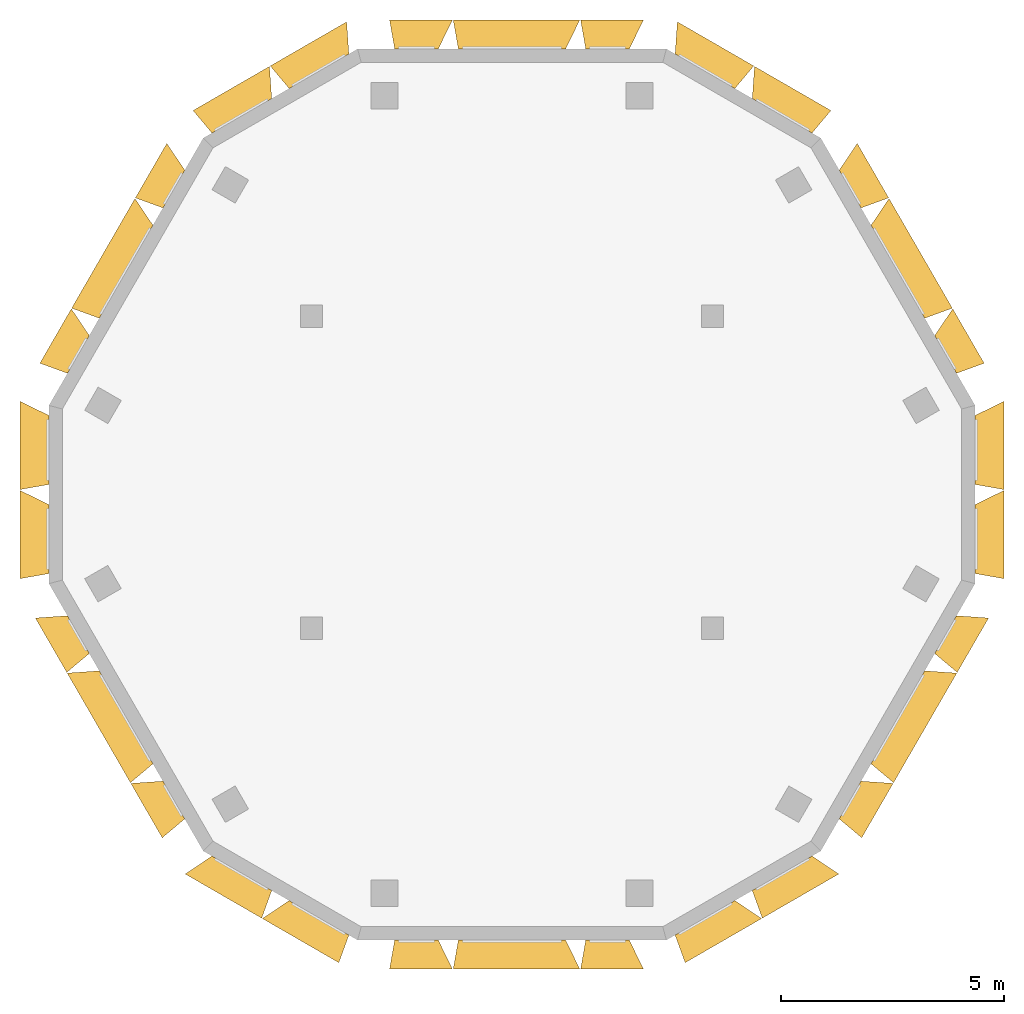
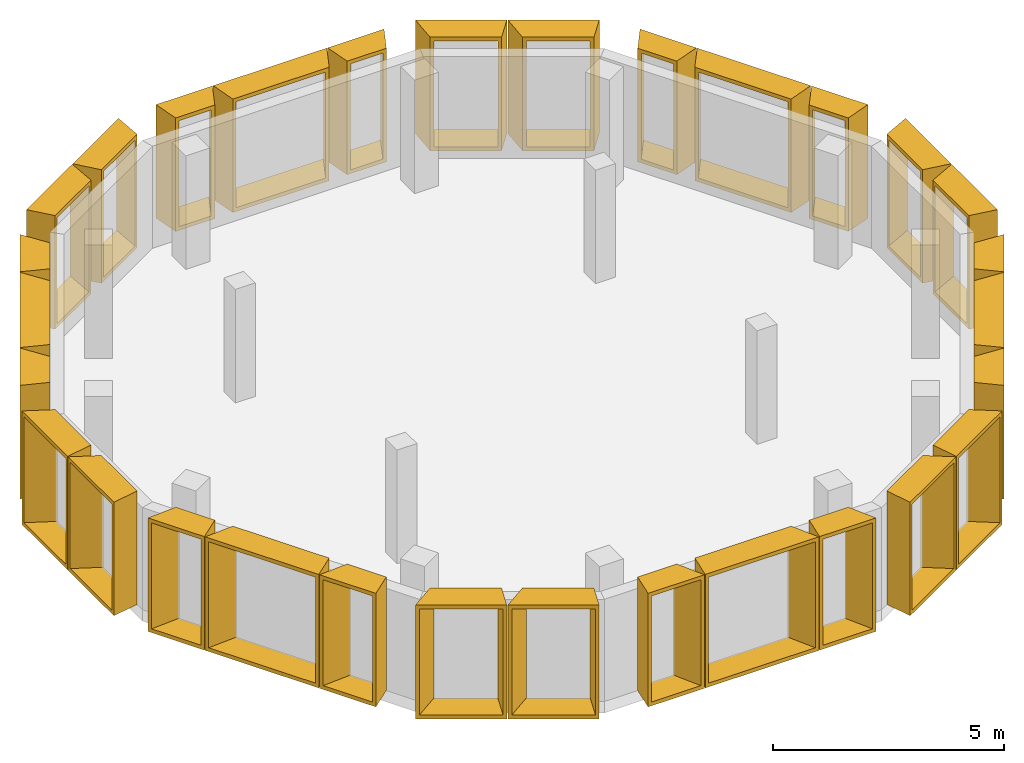
# One storey, part 2 of 2: 30 shading devices.
"""IFC4 building model written with IfcOpenShell, lengths in metres."""

from ifc_helpers import new_model, entity, si_unit, direction, frame, origin, place, context, subcontext, project, spatial, source, transform, mapped, material, type_object, type_shapes, element, save


model = new_model("IFC4")

# Units and contexts
model_context = context("Model", 3, precision=1e-05, world=origin(), true_north=direction((0.0, 1.0)))
body_context = subcontext(model_context, "Body", "Model", "MODEL_VIEW")
ifc_project = project(units=[si_unit("LENGTHUNIT", "METRE"), si_unit("AREAUNIT", "SQUARE_METRE"), si_unit("VOLUMEUNIT", "CUBIC_METRE"), si_unit("PLANEANGLEUNIT", "RADIAN"), si_unit("MASSUNIT", "GRAM", prefix="KILO")], contexts=[model_context])

# Site, building, storey
site_placement = place(None, origin())
site = spatial("IfcSite", under=ifc_project, at=site_placement, CompositionType="ELEMENT")
building_placement = place(site_placement, origin())
building = spatial("IfcBuilding", under=site, at=building_placement, Name="Beryl Residences", CompositionType="ELEMENT")
storey_placement = place(building_placement, frame((0.0, 0.0, 259.800048828125)))
storey = spatial("IfcBuildingStorey", under=building, at=storey_placement, Name="L81", CompositionType="ELEMENT", Elevation=259.800048828125)

# Shading devices
ifc_material_1 = material(Name="Aluminium pale anodised", Category="aluminium")
shading_device_type_1 = type_object("IfcShadingDeviceType", Name="FR143-65B OUTER SKIN frame 650 mm deep, splay 26/10 deg, 1430 x 3000 mm cell", PredefinedType="USERDEFINED", material=ifc_material_1)
cartesian_point_1 = entity("IfcCartesianPoint", [-0.489013671875, 0.0])
cartesian_point_2 = entity("IfcCartesianPoint", [-0.39990234375, 0.10009765625])
cartesian_point_3 = entity("IfcCartesianPoint", [-0.805908203125, 0.0])
cartesian_point_4 = entity("IfcCartesianPoint", [-0.717041015625, 0.10009765625])
shared_shape_1 = source(origin(), body_context, "Body", "SweptSolid", [
    entity("IfcExtrudedAreaSolidTapered", entity("IfcArbitraryProfileDefWithVoids", "AREA", None, entity("IfcPolyline", [cartesian_point_1, entity("IfcCartesianPoint", [0.489013671875, 0.0]), entity("IfcCartesianPoint", [0.489013671875, 3.0]), entity("IfcCartesianPoint", [-0.489013671875, 3.0]), cartesian_point_1]), [entity("IfcPolyline", [cartesian_point_2, entity("IfcCartesianPoint", [0.40771484375, 0.10009765625]), entity("IfcCartesianPoint", [0.40771484375, 2.89990234375]), entity("IfcCartesianPoint", [-0.39990234375, 2.89990234375]), cartesian_point_2])]), entity("IfcAxis2Placement3D", entity("IfcCartesianPoint", [0.0, 0.0, 0.0]), entity("IfcDirection", [0.0, 1.0, 0.0]), entity("IfcDirection", [-1.0, 0.0, 0.0])), entity("IfcDirection", [0.0, 0.0, 1.0]), 0.64990234375, entity("IfcArbitraryProfileDefWithVoids", "AREA", None, entity("IfcPolyline", [cartesian_point_3, entity("IfcCartesianPoint", [0.603515625, 0.0]), entity("IfcCartesianPoint", [0.603515625, 3.0]), entity("IfcCartesianPoint", [-0.805908203125, 3.0]), cartesian_point_3]), [entity("IfcPolyline", [cartesian_point_4, entity("IfcCartesianPoint", [0.5224609375, 0.10009765625]), entity("IfcCartesianPoint", [0.5224609375, 2.89990234375]), entity("IfcCartesianPoint", [-0.717041015625, 2.89990234375]), cartesian_point_4])])),
])
type_shapes(shading_device_type_1, [shared_shape_1])
for number, where, z_axis, x_axis, name in (
    (1, (2.14404296875, 10.0, 0.0), (0.0, 0.0, 1.0), (1.0, 0.0, 0.0), "FR143-65B frame L81 N 1"),
    (2, (-2.14404296875, 10.0, 0.0), (0.0, 0.0, 1.0), (1.0, 0.0, 0.0), "FR143-65B frame L81 N 3"),
    (3, (-7.587890625, 6.85595703125, 0.0), (0.0, 0.0, 1.0), (0.5, 0.866025403784, 0.0), "FR143-65B frame L81 NW 1"),
    (4, (-9.73095703125, 3.14404296875, 0.0), (0.0, 0.0, 1.0), (0.5, 0.866025403784, 0.0), "FR143-65B frame L81 NW 3"),
    (5, (-9.73193359375, -3.14404296875, 0.0), (0.0, 0.0, 1.0), (-0.5, 0.866025403784, 0.0), "FR143-65B frame L81 SW 1"),
    (6, (-7.589111328125, -6.85595703125, 0.0), (0.0, 0.0, 1.0), (-0.5, 0.866025403784, 0.0), "FR143-65B frame L81 SW 3"),
):
    element("IfcShadingDevice", number, at=place(storey_placement, frame(where, z_axis=z_axis, x_axis=x_axis)), inside=storey, type_object=shading_device_type_1, Name=name, ObjectType="OUTER SKIN", PredefinedType="USERDEFINED", context=body_context, shape_type="MappedRepresentation", body=[
        mapped(shared_shape_1, transform((0.0, 0.0, 0.0))),
    ])
ifc_material_2 = material(Name="Aluminium pale anodised", Category="aluminium")
shading_device_type_2 = type_object("IfcShadingDeviceType", Name="FR143-65C OUTER SKIN frame 650 mm deep, splay 10/26 deg, 1430 x 3000 mm cell", PredefinedType="USERDEFINED", material=ifc_material_2)
cartesian_point_5 = entity("IfcCartesianPoint", [-0.489013671875, 0.0])
cartesian_point_6 = entity("IfcCartesianPoint", [-0.40771484375, 0.10009765625])
cartesian_point_7 = entity("IfcCartesianPoint", [-0.603515625, 0.0])
cartesian_point_8 = entity("IfcCartesianPoint", [-0.5224609375, 0.10009765625])
shared_shape_2 = source(origin(), body_context, "Body", "SweptSolid", [
    entity("IfcExtrudedAreaSolidTapered", entity("IfcArbitraryProfileDefWithVoids", "AREA", None, entity("IfcPolyline", [cartesian_point_5, entity("IfcCartesianPoint", [0.489013671875, 0.0]), entity("IfcCartesianPoint", [0.489013671875, 3.0]), entity("IfcCartesianPoint", [-0.489013671875, 3.0]), cartesian_point_5]), [entity("IfcPolyline", [cartesian_point_6, entity("IfcCartesianPoint", [0.39990234375, 0.10009765625]), entity("IfcCartesianPoint", [0.39990234375, 2.89990234375]), entity("IfcCartesianPoint", [-0.40771484375, 2.89990234375]), cartesian_point_6])]), entity("IfcAxis2Placement3D", entity("IfcCartesianPoint", [0.0, 0.0, 0.0]), entity("IfcDirection", [0.0, 1.0, 0.0]), entity("IfcDirection", [-1.0, 0.0, 0.0])), entity("IfcDirection", [0.0, 0.0, 1.0]), 0.64990234375, entity("IfcArbitraryProfileDefWithVoids", "AREA", None, entity("IfcPolyline", [cartesian_point_7, entity("IfcCartesianPoint", [0.805908203125, 0.0]), entity("IfcCartesianPoint", [0.805908203125, 3.0]), entity("IfcCartesianPoint", [-0.603515625, 3.0]), cartesian_point_7]), [entity("IfcPolyline", [cartesian_point_8, entity("IfcCartesianPoint", [0.717041015625, 0.10009765625]), entity("IfcCartesianPoint", [0.717041015625, 2.89990234375]), entity("IfcCartesianPoint", [-0.5224609375, 2.89990234375]), cartesian_point_8])])),
])
type_shapes(shading_device_type_2, [shared_shape_2])
for number, where, z_axis, x_axis, name in (
    (7, (-2.14404296875, -10.0, 0.0), (0.0, 0.0, 1.0), (-1.0, 0.0, 0.0), "FR143-65C frame L81 S 1"),
    (8, (2.14404296875, -10.0, 0.0), (0.0, 0.0, 1.0), (-1.0, 0.0, 0.0), "FR143-65C frame L81 S 3"),
    (9, (7.587890625, -6.85595703125, 0.0), (0.0, 0.0, 1.0), (-0.5, -0.866025403784, 0.0), "FR143-65C frame L81 SE 1"),
    (10, (9.73095703125, -3.14404296875, 0.0), (0.0, 0.0, 1.0), (-0.5, -0.866025403784, 0.0), "FR143-65C frame L81 SE 3"),
    (11, (9.73193359375, 3.14404296875, 0.0), (0.0, 0.0, 1.0), (0.5, -0.866025403784, 0.0), "FR143-65C frame L81 NE 1"),
    (12, (7.589111328125, 6.85595703125, 0.0), (0.0, 0.0, 1.0), (0.5, -0.866025403784, 0.0), "FR143-65C frame L81 NE 3"),
):
    element("IfcShadingDevice", number, at=place(storey_placement, frame(where, z_axis=z_axis, x_axis=x_axis)), inside=storey, type_object=shading_device_type_2, Name=name, ObjectType="OUTER SKIN", PredefinedType="USERDEFINED", context=body_context, shape_type="MappedRepresentation", body=[
        mapped(shared_shape_2, transform((0.0, 0.0, 0.0))),
    ])
ifc_material_3 = material(Name="Aluminium pale anodised", Category="aluminium")
shading_device_type_3 = type_object("IfcShadingDeviceType", Name="FR200-65B OUTER SKIN frame 650 mm deep, splay 26/10 deg, 2000 x 3000 mm cell", PredefinedType="USERDEFINED", material=ifc_material_3)
cartesian_point_9 = entity("IfcCartesianPoint", [-0.77392578125, 0.0])
cartesian_point_10 = entity("IfcCartesianPoint", [-0.68505859375, 0.10009765625])
cartesian_point_11 = entity("IfcCartesianPoint", [-1.091064453125, 0.0])
cartesian_point_12 = entity("IfcCartesianPoint", [-1.001953125, 0.10009765625])
shared_shape_3 = source(origin(), body_context, "Body", "SweptSolid", [
    entity("IfcExtrudedAreaSolidTapered", entity("IfcArbitraryProfileDefWithVoids", "AREA", None, entity("IfcPolyline", [cartesian_point_9, entity("IfcCartesianPoint", [0.77392578125, 0.0]), entity("IfcCartesianPoint", [0.77392578125, 3.0]), entity("IfcCartesianPoint", [-0.77392578125, 3.0]), cartesian_point_9]), [entity("IfcPolyline", [cartesian_point_10, entity("IfcCartesianPoint", [0.69287109375, 0.10009765625]), entity("IfcCartesianPoint", [0.69287109375, 2.89990234375]), entity("IfcCartesianPoint", [-0.68505859375, 2.89990234375]), cartesian_point_10])]), entity("IfcAxis2Placement3D", entity("IfcCartesianPoint", [0.0, 0.0, 0.0]), entity("IfcDirection", [0.0, 1.0, 0.0]), entity("IfcDirection", [-1.0, 0.0, 0.0])), entity("IfcDirection", [0.0, 0.0, 1.0]), 0.64990234375, entity("IfcArbitraryProfileDefWithVoids", "AREA", None, entity("IfcPolyline", [cartesian_point_11, entity("IfcCartesianPoint", [0.888671875, 0.0]), entity("IfcCartesianPoint", [0.888671875, 3.0]), entity("IfcCartesianPoint", [-1.091064453125, 3.0]), cartesian_point_11]), [entity("IfcPolyline", [cartesian_point_12, entity("IfcCartesianPoint", [0.807373046875, 0.10009765625]), entity("IfcCartesianPoint", [0.807373046875, 2.89990234375]), entity("IfcCartesianPoint", [-1.001953125, 2.89990234375]), cartesian_point_12])])),
])
type_shapes(shading_device_type_3, [shared_shape_3])
for number, where, z_axis, x_axis, name in (
    (13, (-4.3310546875, 9.5, 0.0), (0.0, 0.0, 1.0), (0.866025403784, 0.5, 0.0), "FR200-65B frame L81 N-NW 1"),
    (14, (-6.06298828125, 8.5, 0.0), (0.0, 0.0, 1.0), (0.866025403784, 0.5, 0.0), "FR200-65B frame L81 N-NW 2"),
    (15, (-10.39208984375, 1.0, 0.0), (0.0, 0.0, 1.0), (0.0, 1.0, 0.0), "FR200-65B frame L81 NW-SW 1"),
    (16, (-10.39208984375, -1.0, 0.0), (0.0, 0.0, 1.0), (0.0, 1.0, 0.0), "FR200-65B frame L81 NW-SW 2"),
    (17, (-6.06298828125, -8.5, 0.0), (0.0, 0.0, 1.0), (-0.866025403784, 0.5, 0.0), "FR200-65B frame L81 SW-S 1"),
    (18, (-4.3310546875, -9.5, 0.0), (0.0, 0.0, 1.0), (-0.866025403784, 0.5, 0.0), "FR200-65B frame L81 SW-S 2"),
):
    element("IfcShadingDevice", number, at=place(storey_placement, frame(where, z_axis=z_axis, x_axis=x_axis)), inside=storey, type_object=shading_device_type_3, Name=name, ObjectType="OUTER SKIN", PredefinedType="USERDEFINED", context=body_context, shape_type="MappedRepresentation", body=[
        mapped(shared_shape_3, transform((0.0, 0.0, 0.0))),
    ])
ifc_material_4 = material(Name="Aluminium pale anodised", Category="aluminium")
shading_device_type_4 = type_object("IfcShadingDeviceType", Name="FR200-65C OUTER SKIN frame 650 mm deep, splay 10/26 deg, 2000 x 3000 mm cell", PredefinedType="USERDEFINED", material=ifc_material_4)
cartesian_point_13 = entity("IfcCartesianPoint", [-0.77392578125, 0.0])
cartesian_point_14 = entity("IfcCartesianPoint", [-0.69287109375, 0.10009765625])
cartesian_point_15 = entity("IfcCartesianPoint", [-0.888671875, 0.0])
cartesian_point_16 = entity("IfcCartesianPoint", [-0.807373046875, 0.10009765625])
shared_shape_4 = source(origin(), body_context, "Body", "SweptSolid", [
    entity("IfcExtrudedAreaSolidTapered", entity("IfcArbitraryProfileDefWithVoids", "AREA", None, entity("IfcPolyline", [cartesian_point_13, entity("IfcCartesianPoint", [0.77392578125, 0.0]), entity("IfcCartesianPoint", [0.77392578125, 3.0]), entity("IfcCartesianPoint", [-0.77392578125, 3.0]), cartesian_point_13]), [entity("IfcPolyline", [cartesian_point_14, entity("IfcCartesianPoint", [0.68505859375, 0.10009765625]), entity("IfcCartesianPoint", [0.68505859375, 2.89990234375]), entity("IfcCartesianPoint", [-0.69287109375, 2.89990234375]), cartesian_point_14])]), entity("IfcAxis2Placement3D", entity("IfcCartesianPoint", [0.0, 0.0, 0.0]), entity("IfcDirection", [0.0, 1.0, 0.0]), entity("IfcDirection", [-1.0, 0.0, 0.0])), entity("IfcDirection", [0.0, 0.0, 1.0]), 0.64990234375, entity("IfcArbitraryProfileDefWithVoids", "AREA", None, entity("IfcPolyline", [cartesian_point_15, entity("IfcCartesianPoint", [1.091064453125, 0.0]), entity("IfcCartesianPoint", [1.091064453125, 3.0]), entity("IfcCartesianPoint", [-0.888671875, 3.0]), cartesian_point_15]), [entity("IfcPolyline", [cartesian_point_16, entity("IfcCartesianPoint", [1.001953125, 0.10009765625]), entity("IfcCartesianPoint", [1.001953125, 2.89990234375]), entity("IfcCartesianPoint", [-0.807373046875, 2.89990234375]), cartesian_point_16])])),
])
type_shapes(shading_device_type_4, [shared_shape_4])
for number, where, z_axis, x_axis, name in (
    (19, (4.3310546875, -9.5, 0.0), (0.0, 0.0, 1.0), (-0.866025403784, -0.5, 0.0), "FR200-65C frame L81 S-SE 1"),
    (20, (6.06298828125, -8.5, 0.0), (0.0, 0.0, 1.0), (-0.866025403784, -0.5, 0.0), "FR200-65C frame L81 S-SE 2"),
    (21, (10.39208984375, -1.0, 0.0), (0.0, 0.0, 1.0), (0.0, -1.0, 0.0), "FR200-65C frame L81 SE-NE 1"),
    (22, (10.39208984375, 1.0, 0.0), (0.0, 0.0, 1.0), (0.0, -1.0, 0.0), "FR200-65C frame L81 SE-NE 2"),
    (23, (6.06298828125, 8.5, 0.0), (0.0, 0.0, 1.0), (0.866025403784, -0.5, 0.0), "FR200-65C frame L81 NE-N 1"),
    (24, (4.3310546875, 9.5, 0.0), (0.0, 0.0, 1.0), (0.866025403784, -0.5, 0.0), "FR200-65C frame L81 NE-N 2"),
):
    element("IfcShadingDevice", number, at=place(storey_placement, frame(where, z_axis=z_axis, x_axis=x_axis)), inside=storey, type_object=shading_device_type_4, Name=name, ObjectType="OUTER SKIN", PredefinedType="USERDEFINED", context=body_context, shape_type="MappedRepresentation", body=[
        mapped(shared_shape_4, transform((0.0, 0.0, 0.0))),
    ])
ifc_material_5 = material(Name="Aluminium pale anodised", Category="aluminium")
shading_device_type_5 = type_object("IfcShadingDeviceType", Name="FR286-65B OUTER SKIN frame 650 mm deep, splay 26/10 deg, 2860 x 3000 mm cell", PredefinedType="USERDEFINED", material=ifc_material_5)
cartesian_point_17 = entity("IfcCartesianPoint", [-1.2041015625, 0.0])
cartesian_point_18 = entity("IfcCartesianPoint", [-1.114990234375, 0.10009765625])
cartesian_point_19 = entity("IfcCartesianPoint", [-1.52099609375, 0.0])
cartesian_point_20 = entity("IfcCartesianPoint", [-1.43212890625, 0.10009765625])
shared_shape_5 = source(origin(), body_context, "Body", "SweptSolid", [
    entity("IfcExtrudedAreaSolidTapered", entity("IfcArbitraryProfileDefWithVoids", "AREA", None, entity("IfcPolyline", [cartesian_point_17, entity("IfcCartesianPoint", [1.2041015625, 0.0]), entity("IfcCartesianPoint", [1.2041015625, 3.0]), entity("IfcCartesianPoint", [-1.2041015625, 3.0]), cartesian_point_17]), [entity("IfcPolyline", [cartesian_point_18, entity("IfcCartesianPoint", [1.122802734375, 0.10009765625]), entity("IfcCartesianPoint", [1.122802734375, 2.89990234375]), entity("IfcCartesianPoint", [-1.114990234375, 2.89990234375]), cartesian_point_18])]), entity("IfcAxis2Placement3D", entity("IfcCartesianPoint", [0.0, 0.0, 0.0]), entity("IfcDirection", [0.0, 1.0, 0.0]), entity("IfcDirection", [-1.0, 0.0, 0.0])), entity("IfcDirection", [0.0, 0.0, 1.0]), 0.64990234375, entity("IfcArbitraryProfileDefWithVoids", "AREA", None, entity("IfcPolyline", [cartesian_point_19, entity("IfcCartesianPoint", [1.318603515625, 0.0]), entity("IfcCartesianPoint", [1.318603515625, 3.0]), entity("IfcCartesianPoint", [-1.52099609375, 3.0]), cartesian_point_19]), [entity("IfcPolyline", [cartesian_point_20, entity("IfcCartesianPoint", [1.2373046875, 0.10009765625]), entity("IfcCartesianPoint", [1.2373046875, 2.89990234375]), entity("IfcCartesianPoint", [-1.43212890625, 2.89990234375]), cartesian_point_20])])),
])
type_shapes(shading_device_type_5, [shared_shape_5])
for number, where, z_axis, x_axis, name in (
    (25, (0.0, 10.0, 0.0), (0.0, 0.0, 1.0), (1.0, 0.0, 0.0), "FR286-65B frame L81 N 2"),
    (26, (-8.659912109375, 5.0, 0.0), (0.0, 0.0, 1.0), (0.5, 0.866025403784, 0.0), "FR286-65B frame L81 NW 2"),
    (27, (-8.659912109375, -5.0, 0.0), (0.0, 0.0, 1.0), (-0.5, 0.866025403784, 0.0), "FR286-65B frame L81 SW 2"),
):
    element("IfcShadingDevice", number, at=place(storey_placement, frame(where, z_axis=z_axis, x_axis=x_axis)), inside=storey, type_object=shading_device_type_5, Name=name, ObjectType="OUTER SKIN", PredefinedType="USERDEFINED", context=body_context, shape_type="MappedRepresentation", body=[
        mapped(shared_shape_5, transform((0.0, 0.0, 0.0))),
    ])
ifc_material_6 = material(Name="Aluminium pale anodised", Category="aluminium")
shading_device_type_6 = type_object("IfcShadingDeviceType", Name="FR286-65C OUTER SKIN frame 650 mm deep, splay 10/26 deg, 2860 x 3000 mm cell", PredefinedType="USERDEFINED", material=ifc_material_6)
cartesian_point_21 = entity("IfcCartesianPoint", [-1.2041015625, 0.0])
cartesian_point_22 = entity("IfcCartesianPoint", [-1.122802734375, 0.10009765625])
cartesian_point_23 = entity("IfcCartesianPoint", [-1.318603515625, 0.0])
cartesian_point_24 = entity("IfcCartesianPoint", [-1.2373046875, 0.10009765625])
shared_shape_6 = source(origin(), body_context, "Body", "SweptSolid", [
    entity("IfcExtrudedAreaSolidTapered", entity("IfcArbitraryProfileDefWithVoids", "AREA", None, entity("IfcPolyline", [cartesian_point_21, entity("IfcCartesianPoint", [1.2041015625, 0.0]), entity("IfcCartesianPoint", [1.2041015625, 3.0]), entity("IfcCartesianPoint", [-1.2041015625, 3.0]), cartesian_point_21]), [entity("IfcPolyline", [cartesian_point_22, entity("IfcCartesianPoint", [1.114990234375, 0.10009765625]), entity("IfcCartesianPoint", [1.114990234375, 2.89990234375]), entity("IfcCartesianPoint", [-1.122802734375, 2.89990234375]), cartesian_point_22])]), entity("IfcAxis2Placement3D", entity("IfcCartesianPoint", [0.0, 0.0, 0.0]), entity("IfcDirection", [0.0, 1.0, 0.0]), entity("IfcDirection", [-1.0, 0.0, 0.0])), entity("IfcDirection", [0.0, 0.0, 1.0]), 0.64990234375, entity("IfcArbitraryProfileDefWithVoids", "AREA", None, entity("IfcPolyline", [cartesian_point_23, entity("IfcCartesianPoint", [1.52099609375, 0.0]), entity("IfcCartesianPoint", [1.52099609375, 3.0]), entity("IfcCartesianPoint", [-1.318603515625, 3.0]), cartesian_point_23]), [entity("IfcPolyline", [cartesian_point_24, entity("IfcCartesianPoint", [1.43212890625, 0.10009765625]), entity("IfcCartesianPoint", [1.43212890625, 2.89990234375]), entity("IfcCartesianPoint", [-1.2373046875, 2.89990234375]), cartesian_point_24])])),
])
type_shapes(shading_device_type_6, [shared_shape_6])
for number, where, z_axis, x_axis, name in (
    (28, (0.0, -10.0, 0.0), (0.0, 0.0, 1.0), (-1.0, 0.0, 0.0), "FR286-65C frame L81 S 2"),
    (29, (8.659912109375, -5.0, 0.0), (0.0, 0.0, 1.0), (-0.5, -0.866025403784, 0.0), "FR286-65C frame L81 SE 2"),
    (30, (8.659912109375, 5.0, 0.0), (0.0, 0.0, 1.0), (0.5, -0.866025403784, 0.0), "FR286-65C frame L81 NE 2"),
):
    element("IfcShadingDevice", number, at=place(storey_placement, frame(where, z_axis=z_axis, x_axis=x_axis)), inside=storey, type_object=shading_device_type_6, Name=name, ObjectType="OUTER SKIN", PredefinedType="USERDEFINED", context=body_context, shape_type="MappedRepresentation", body=[
        mapped(shared_shape_6, transform((0.0, 0.0, 0.0))),
    ])

save(model, "model.ifc")
